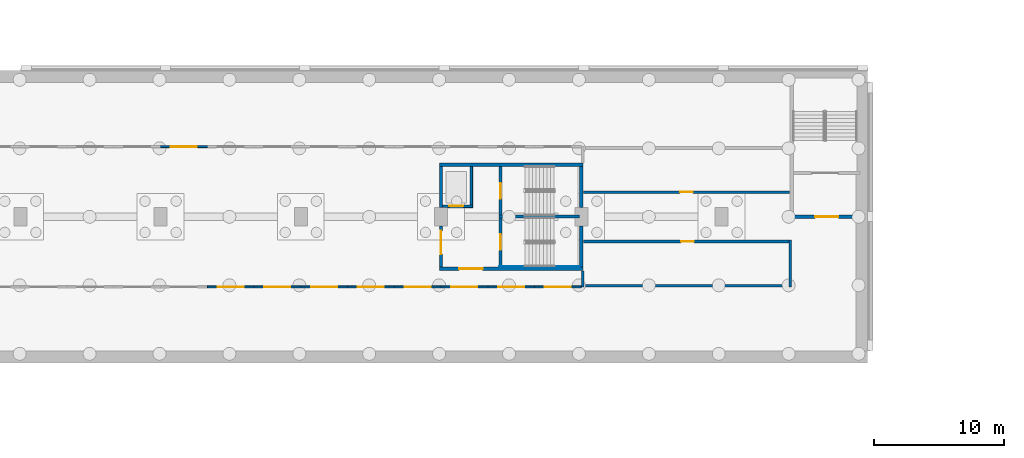
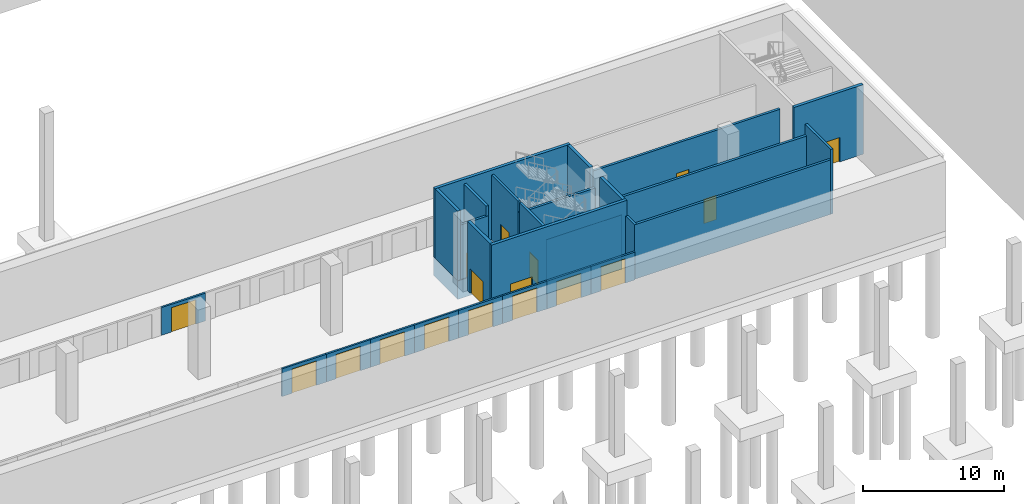
# One storey, part 11 of 39: 28 walls, 17 doors, 17 openings.
"""IFC4 building model written with IfcOpenShell, lengths in metres."""

import ifcopenshell
import ifcopenshell.guid

model = None  # the IFC model being written
_history = None  # IfcOwnerHistory: only IFC2X3 demands one
_inside = {}  # id of a spatial element -> (the spatial element, [elements in it])
_under = {}  # id of a project, library or spatial element -> (it, [spatial elements below it])
_declared = {}  # id of a project -> (the project, [libraries it declares])
_typed = {}  # id of a type object -> (the type object, [elements of that type])
_made_of = {}  # id of a material, layer set ... -> (it, [elements and type objects made of it])


def new_model(schema):
    """Start an empty IFC model of exactly this schema.

    Asked for "IFC4X3", IfcOpenShell would pick the latest addendum, in which some entities
    have other attributes; the version numbers below select the first issue.
    IFC2X3 requires an IfcOwnerHistory on every rooted entity: one is made here for all.
    """
    global model, _history
    if schema == "IFC4X3":
        model = ifcopenshell.file(schema_version=(4, 3, 0, 0))
    else:
        model = ifcopenshell.file(schema=schema)
    _inside.clear()
    _under.clear()
    _declared.clear()
    _typed.clear()
    _made_of.clear()
    _history = None
    if model.schema == "IFC2X3":
        org = make("IfcOrganization", Name="unknown")
        user = make(
            "IfcPersonAndOrganization",
            ThePerson=make("IfcPerson", FamilyName="unknown"),
            TheOrganization=org,
        )
        app = make(
            "IfcApplication",
            ApplicationDeveloper=org,
            Version="unknown",
            ApplicationFullName="unknown",
            ApplicationIdentifier="unknown",
        )
        _history = make(
            "IfcOwnerHistory",
            OwningUser=user,
            OwningApplication=app,
            ChangeAction="ADDED",
            CreationDate=0,
        )
    return model


def make(cls, **values):
    """One entity of the class cls with the attributes given. An attribute that is None is left unset."""
    return model.create_entity(
        cls, **{name: value for name, value in values.items() if value is not None}
    )


def rooted(cls, **values):
    """An entity with a GlobalId (a new one), such as an element, a storey or a relation."""
    return make(cls, GlobalId=ifcopenshell.guid.new(), OwnerHistory=_history, **values)


def si_unit(unit_type, name, prefix=None):
    """IfcSIUnit, for example si_unit("LENGTHUNIT", "METRE", prefix="MILLI")."""
    return make("IfcSIUnit", UnitType=unit_type, Prefix=prefix, Name=name)


def assignment(units):
    """IfcUnitAssignment: the units of a project."""
    return None if units is None else make("IfcUnitAssignment", Units=units)


def point(xyz):
    """IfcCartesianPoint."""
    return None if xyz is None else make("IfcCartesianPoint", Coordinates=xyz)


def direction(xyz):
    """IfcDirection."""
    return None if xyz is None else make("IfcDirection", DirectionRatios=xyz)


def frame(location, z_axis=None, x_axis=None):
    """IfcAxis2Placement3D, a coordinate frame: its origin and axes. An axis left out is left unset."""
    return make(
        "IfcAxis2Placement3D",
        Location=point(location),
        Axis=direction(z_axis),
        RefDirection=direction(x_axis),
    )


def frame_2d(location, x_axis=None):
    """IfcAxis2Placement2D, a coordinate frame in the plane: its origin and x axis."""
    return make(
        "IfcAxis2Placement2D", Location=point(location), RefDirection=direction(x_axis)
    )


def origin():
    """The frame at (0, 0, 0) with its axes left unset."""
    return frame((0.0, 0.0, 0.0))


def place(relative_to, where):
    """IfcLocalPlacement: puts the frame where relative to a parent placement (None: the world)."""
    return make(
        "IfcLocalPlacement", PlacementRelTo=relative_to, RelativePlacement=where
    )


def context(
    kind, dimensions, precision=None, world=None, true_north=None, identifier=None
):
    """IfcGeometricRepresentationContext, for example the 3D "Model" context."""
    return make(
        "IfcGeometricRepresentationContext",
        ContextIdentifier=identifier,
        ContextType=kind,
        CoordinateSpaceDimension=dimensions,
        Precision=precision,
        WorldCoordinateSystem=world,
        TrueNorth=true_north,
    )


def subcontext(parent, identifier, kind, view, scale=None):
    """IfcGeometricRepresentationSubContext, for example "Body" below "Model"."""
    return make(
        "IfcGeometricRepresentationSubContext",
        ContextIdentifier=identifier,
        ContextType=kind,
        ParentContext=parent,
        TargetScale=scale,
        TargetView=view,
    )


def project(units=None, contexts=None):
    """IfcProject with its units and contexts."""
    return rooted(
        "IfcProject",
        Name="project",
        RepresentationContexts=contexts,
        UnitsInContext=assignment(units),
    )


def spatial(cls, under=None, at=None, **own):
    """A site, building, storey or space (cls), placed at a placement, below another one or the project."""
    s = rooted(cls, ObjectPlacement=at, **own)
    if under is not None:
        _under.setdefault(under.id(), (under, []))[1].append(s)
    return s


def polyline(points):
    """IfcPolyline through the points."""
    return make("IfcPolyline", Points=[point(p) for p in points])


def profile(cls, at=None, kind="AREA", **sizes):
    """A parametric profile (cls). Its sizes go by their IFC names, for example OverallWidth=200.0."""
    return make(cls, ProfileType=kind, Position=at, **sizes)


def rectangle(**sizes):
    """IfcRectangleProfileDef."""
    return profile("IfcRectangleProfileDef", **sizes)


def outline(outer, holes=None, kind="AREA"):
    """IfcArbitraryClosedProfileDef: a profile drawn as a closed curve; with holes, ...WithVoids."""
    if holes is None:
        return make("IfcArbitraryClosedProfileDef", ProfileType=kind, OuterCurve=outer)
    return make(
        "IfcArbitraryProfileDefWithVoids",
        ProfileType=kind,
        OuterCurve=outer,
        InnerCurves=holes,
    )


def extrude(swept, where, along, depth):
    """IfcExtrudedAreaSolid: the profile swept, set in the frame where, extruded along a direction by depth."""
    return make(
        "IfcExtrudedAreaSolid",
        SweptArea=swept,
        Position=where,
        ExtrudedDirection=direction(along),
        Depth=depth,
    )


def shape(context_of_items, identifier, shape_type, items):
    """IfcShapeRepresentation: the items that make up one representation, for example the "Body"."""
    return make(
        "IfcShapeRepresentation",
        ContextOfItems=context_of_items,
        RepresentationIdentifier=identifier,
        RepresentationType=shape_type,
        Items=items,
    )


def material(Name=None, Category=None):
    """IfcMaterial."""
    return make("IfcMaterial", Name=Name, Category=Category)


def layer(
    of_material, thickness, ventilated=None, Name=None, Category=None, Priority=None
):
    """IfcMaterialLayer: one layer of a wall or slab, of a material (None: an air gap)."""
    return make(
        "IfcMaterialLayer",
        Material=of_material,
        LayerThickness=thickness,
        IsVentilated=ventilated,
        Name=Name,
        Category=Category,
        Priority=Priority,
    )


def layer_set(layers, Name=None):
    """IfcMaterialLayerSet."""
    return make("IfcMaterialLayerSet", MaterialLayers=layers, LayerSetName=Name)


def made_of(thing, what):
    """Note that an element or type object is made of a material, layer set ...; save() writes the relation."""
    if what is not None:
        _made_of.setdefault(what.id(), (what, []))[1].append(thing)
    return thing


def type_object(cls, material=None, **own):
    """A type object (cls), such as IfcWallType, which elements share."""
    return made_of(rooted(cls, **own), material)


def element(
    cls,
    number,
    at=None,
    inside=None,
    cuts=None,
    type_object=None,
    material=None,
    context=None,
    identifier="Body",
    shape_type=None,
    held_by="IfcProductDefinitionShape",
    body=None,
    shapes=None,
    **own,
):
    """One element of the class cls, such as IfcWall. Its Tag is "e" and its number.

    at: its placement. inside: the storey or other place that contains it. cuts: it is an
    opening in that element (IfcRelVoidsElement). A single representation is given by context,
    identifier, shape_type and body (its items); several are given by shapes. held_by: the class
    of the entity that holds the representations. save() writes the other relations.
    """
    e = rooted(cls, Tag="e%d" % number, ObjectPlacement=at, **own)
    if body is not None:
        shapes = [shape(context, identifier, shape_type, body)]
    if shapes is not None:
        e.Representation = make(held_by, Representations=shapes)
    if inside is not None:
        _inside.setdefault(inside.id(), (inside, []))[1].append(e)
    if cuts is not None:
        rooted(
            "IfcRelVoidsElement", RelatingBuildingElement=cuts, RelatedOpeningElement=e
        )
    if type_object is not None:
        _typed.setdefault(type_object.id(), (type_object, []))[1].append(e)
    return made_of(e, material)


def fill(opening, filler):
    """IfcRelFillsElement: the door or window that sits in an opening."""
    return rooted(
        "IfcRelFillsElement",
        RelatingOpeningElement=opening,
        RelatedBuildingElement=filler,
    )


def aggregate(whole, parts):
    """IfcRelAggregates: a whole, such as a stair, and the parts it consists of."""
    return rooted("IfcRelAggregates", RelatingObject=whole, RelatedObjects=parts)


def save(model, path):
    """Write the relations noted so far, then the file.

    IfcRelAggregates (storeys below a building ...), IfcRelContainedInSpatialStructure (elements
    in a storey), IfcRelDefinesByType, IfcRelAssociatesMaterial and IfcRelDeclares: one each for
    every whole, place, type object, material and project.
    """
    for whole, parts in _under.values():
        aggregate(whole, parts)
    for where, things in _inside.values():
        rooted(
            "IfcRelContainedInSpatialStructure",
            RelatedElements=things,
            RelatingStructure=where,
        )
    for kind, things in _typed.values():
        rooted("IfcRelDefinesByType", RelatedObjects=things, RelatingType=kind)
    for what, things in _made_of.values():
        rooted("IfcRelAssociatesMaterial", RelatedObjects=things, RelatingMaterial=what)
    for by, libraries in _declared.values():
        rooted("IfcRelDeclares", RelatingContext=by, RelatedDefinitions=libraries)
    model.write(path)


model = new_model("IFC4")

# Units and contexts
model_context = context("Model", 3, precision=1e-05, world=origin(), true_north=direction((0.0, 1.0)))
body_context = subcontext(model_context, "Body", "Model", "MODEL_VIEW")
ifc_project = project(units=[si_unit("LENGTHUNIT", "METRE"), si_unit("AREAUNIT", "SQUARE_METRE"), si_unit("VOLUMEUNIT", "CUBIC_METRE"), si_unit("PLANEANGLEUNIT", "RADIAN"), si_unit("MASSUNIT", "GRAM", prefix="KILO")], contexts=[model_context])

# Site, building, storey
site_placement = place(None, origin())
site = spatial("IfcSite", under=ifc_project, at=site_placement, CompositionType="ELEMENT")
building_placement = place(site_placement, origin())
building = spatial("IfcBuilding", under=site, at=building_placement, Name="Magnolia Steps Interchange", CompositionType="ELEMENT")
storey_placement = place(building_placement, frame((0.0, 0.0, -11.39990234375)))
storey = spatial("IfcBuildingStorey", under=building, at=storey_placement, Name="B2", CompositionType="ELEMENT", Elevation=-11.39990234375)

# Wall, opening, door
ifc_material_1 = material(Name="Concrete C35", Category="concrete")
ifc_layer_1 = layer(ifc_material_1, 0.199951171875)
ifc_layer_set_1 = layer_set([ifc_layer_1], Name="Core enclosure wall 200")
wall_type_1 = type_object("IfcWallType", Name="Core enclosure wall 200", PredefinedType="SOLIDWALL", material=ifc_layer_set_1)
wall_1_placement = place(storey_placement, frame((154.97509765625, 67.875, 0.0), z_axis=(0.0, 0.0, 1.0), x_axis=(0.0, -1.0, 0.0)))
wall_1 = element("IfcWall", 1, at=wall_1_placement, inside=storey, type_object=wall_type_1, Name="B2 PC3 enclosure wall", PredefinedType="SOLIDWALL", context=body_context, shape_type="SweptSolid", body=[
    extrude(rectangle(XDim=3.75, YDim=0.199951171875, at=frame_2d((1.875, 0.0))), origin(), (0.0, 0.0, 1.0), 5.599853515625),
])
opening_1_placement = place(wall_1_placement, frame((1.27490234375, 0.0, 0.0)))
opening_1 = element("IfcOpeningElement", 2, at=opening_1_placement, cuts=wall_1, Name="Opening D-PC3-B2-1", PredefinedType="OPENING", context=body_context, shape_type="SweptSolid", body=[
    extrude(rectangle(XDim=1.199951171875, YDim=2.10009765625, at=frame_2d((0.60009765625, 1.050048828125))), frame((0.0, 0.10986328125, 0.0), z_axis=(0.0, -1.0, 0.0), x_axis=(1.0, 0.0, 0.0)), (0.0, 0.0, 1.0), 0.219970703125),
])
ifc_material_2 = material(Name="Painted steel", Category="steel")
door_type_1 = type_object("IfcDoorType", Name="Stair fire door 1200x2100", OperationType="NOTDEFINED", PredefinedType="DOOR", material=ifc_material_2)
door_1_placement = place(opening_1_placement, frame((1.199951171875, 0.0, 0.0), z_axis=(0.0, 0.0, 1.0), x_axis=(-1.0, 0.0, 0.0)))
door_1 = element("IfcDoor", 3, at=door_1_placement, inside=storey, type_object=door_type_1, Name="Stair door ST13 B2", OperationType="SINGLE_SWING_RIGHT", OverallHeight=2.10009765625, OverallWidth=1.199951171875, PredefinedType="DOOR", context=body_context, shape_type="SweptSolid", body=[
    extrude(rectangle(XDim=1.199951171875, YDim=2.10009765625, at=frame_2d((0.60009765625, 1.050048828125))), frame((0.0, 0.02490234375, 0.0), z_axis=(0.0, -1.0, 0.0), x_axis=(1.0, 0.0, 0.0)), (0.0, 0.0, 1.0), 0.050048828125),
])
fill(opening_1, door_1)

# Wall
wall_2_placement = place(storey_placement, frame((154.875, 64.02490234375, 0.0), z_axis=(0.0, 0.0, 1.0), x_axis=(1.0, 0.0, 0.0)))
element("IfcWall", 4, at=wall_2_placement, inside=storey, type_object=wall_type_1, Name="B2 PC3 enclosure wall", PredefinedType="SOLIDWALL", context=body_context, shape_type="SweptSolid", body=[
    extrude(rectangle(XDim=6.199951171875, YDim=0.199951171875, at=frame_2d((3.10009765625, 0.0))), origin(), (0.0, 0.0, 1.0), 4.699951171875),
])

# Wall, opening, door
wall_3_placement = place(storey_placement, frame((154.97509765625, 63.925048828125, 0.0), z_axis=(0.0, 0.0, 1.0), x_axis=(0.0, -1.0, 0.0)))
wall_3 = element("IfcWall", 5, at=wall_3_placement, inside=storey, type_object=wall_type_1, Name="B2 PC3 enclosure wall", PredefinedType="SOLIDWALL", context=body_context, shape_type="SweptSolid", body=[
    extrude(rectangle(XDim=3.800048828125, YDim=0.199951171875, at=frame_2d((1.89990234375, 0.0))), origin(), (0.0, 0.0, 1.0), 5.599853515625),
])
opening_2_placement = place(wall_3_placement, frame((1.27490234375, 0.0, 0.0)))
opening_2 = element("IfcOpeningElement", 6, at=opening_2_placement, cuts=wall_3, Name="Opening D-PC3-B2-2", PredefinedType="OPENING", context=body_context, shape_type="SweptSolid", body=[
    extrude(rectangle(XDim=1.199951171875, YDim=2.10009765625, at=frame_2d((0.60009765625, 1.050048828125))), frame((0.0, 0.10986328125, 0.0), z_axis=(0.0, -1.0, 0.0), x_axis=(1.0, 0.0, 0.0)), (0.0, 0.0, 1.0), 0.219970703125),
])
door_2_placement = place(opening_2_placement, frame((1.199951171875, 0.0, 0.0), z_axis=(0.0, 0.0, 1.0), x_axis=(-1.0, 0.0, 0.0)))
door_2 = element("IfcDoor", 7, at=door_2_placement, inside=storey, type_object=door_type_1, Name="Stair door ST14 B2", OperationType="SINGLE_SWING_RIGHT", OverallHeight=2.10009765625, OverallWidth=1.199951171875, PredefinedType="DOOR", context=body_context, shape_type="SweptSolid", body=[
    extrude(rectangle(XDim=1.199951171875, YDim=2.10009765625, at=frame_2d((0.60009765625, 1.050048828125))), frame((0.0, 0.02490234375, 0.0), z_axis=(0.0, -1.0, 0.0), x_axis=(1.0, 0.0, 0.0)), (0.0, 0.0, 1.0), 0.050048828125),
])
fill(opening_2, door_2)

# Wall
wall_4_placement = place(storey_placement, frame((152.72509765625, 67.875, 0.0), z_axis=(0.0, 0.0, 1.0), x_axis=(0.0, -1.0, 0.0)))
element("IfcWall", 8, at=wall_4_placement, inside=storey, type_object=wall_type_1, Name="B2 PC3 enclosure wall", PredefinedType="SOLIDWALL", context=body_context, shape_type="SweptSolid", body=[
    extrude(rectangle(XDim=3.14990234375, YDim=0.199951171875, at=frame_2d((1.574951171875, 0.0))), origin(), (0.0, 0.0, 1.0), 5.599853515625),
])

# Wall, opening, door
wall_5_placement = place(storey_placement, frame((150.52490234375, 64.824951171875, 0.0), z_axis=(0.0, 0.0, 1.0), x_axis=(1.0, 0.0, 0.0)))
wall_5 = element("IfcWall", 9, at=wall_5_placement, inside=storey, type_object=wall_type_1, Name="B2 PC3 enclosure wall", PredefinedType="SOLIDWALL", context=body_context, shape_type="SweptSolid", body=[
    extrude(rectangle(XDim=2.300048828125, YDim=0.199951171875, at=frame_2d((1.14990234375, 0.0))), origin(), (0.0, 0.0, 1.0), 4.699951171875),
])
opening_3_placement = place(wall_5_placement, frame((0.5, 0.0, 0.0)))
opening_3 = element("IfcOpeningElement", 10, at=opening_3_placement, cuts=wall_5, Name="Opening LD", PredefinedType="OPENING", context=body_context, shape_type="SweptSolid", body=[
    extrude(rectangle(XDim=1.10009765625, YDim=2.10009765625, at=frame_2d((0.550048828125, 1.050048828125))), frame((0.0, 0.10986328125, 0.0), z_axis=(0.0, -1.0, 0.0), x_axis=(1.0, 0.0, 0.0)), (0.0, 0.0, 1.0), 0.219970703125),
])
ifc_material_3 = material(Name="Stainless steel grade 304", Category="steel")
door_type_2 = type_object("IfcDoorType", Name="Lift landing door 1100x2100", OperationType="DOUBLE_DOOR_SLIDING", PredefinedType="DOOR", material=ifc_material_3)
door_3_placement = place(opening_3_placement, frame((1.10009765625, 0.0, 0.0), z_axis=(0.0, 0.0, 1.0), x_axis=(-1.0, 0.0, 0.0)))
door_3 = element("IfcDoor", 11, at=door_3_placement, inside=storey, type_object=door_type_2, Name="Lift landing door LF7 B2", OperationType="DOUBLE_DOOR_SLIDING", OverallHeight=2.10009765625, OverallWidth=1.10009765625, PredefinedType="DOOR", context=body_context, shape_type="SweptSolid", body=[
    extrude(rectangle(XDim=1.10009765625, YDim=2.10009765625, at=frame_2d((0.550048828125, 1.050048828125))), frame((0.0, 0.02490234375, 0.0), z_axis=(0.0, -1.0, 0.0), x_axis=(1.0, 0.0, 0.0)), (0.0, 0.0, 1.0), 0.050048828125),
])
fill(opening_3, door_3)

# Wall
wall_6_placement = place(storey_placement, frame((154.875, 60.14990234375, 0.0), z_axis=(0.0, 0.0, 1.0), x_axis=(1.0, 0.0, 0.0)))
element("IfcWall", 12, at=wall_6_placement, inside=storey, type_object=wall_type_1, Name="B2 PC3 enclosure wall", PredefinedType="SOLIDWALL", context=body_context, shape_type="SweptSolid", body=[
    extrude(rectangle(XDim=6.199951171875, YDim=0.050048828125, at=frame_2d((3.10009765625, 0.0))), origin(), (0.0, 0.0, 1.0), 4.699951171875),
])

# Wall, opening, door
ifc_material_4 = material(Name="Concrete C40", Category="concrete")
ifc_layer_2 = layer(ifc_material_4, 0.25)
ifc_layer_set_2 = layer_set([ifc_layer_2], Name="Core wall 250")
wall_type_2 = type_object("IfcWallType", Name="Core wall 250", PredefinedType="SOLIDWALL", material=ifc_layer_set_2)
wall_7_placement = place(storey_placement, frame((150.27490234375, 60.0, 0.0), z_axis=(0.0, 0.0, 1.0), x_axis=(1.0, 0.0, 0.0)))
wall_7 = element("IfcWall", 13, at=wall_7_placement, inside=storey, type_object=wall_type_2, Name="Core wall PC3", PredefinedType="SOLIDWALL", context=body_context, shape_type="SweptSolid", body=[
    extrude(rectangle(XDim=11.050048828125, YDim=0.25, at=frame_2d((5.52490234375, 0.0))), origin(), (0.0, 0.0, 1.0), 6.0),
])
opening_4_placement = place(wall_7_placement, frame((1.52490234375, 0.0, 0.0)))
opening_4 = element("IfcOpeningElement", 14, at=opening_4_placement, cuts=wall_7, Name="Opening D-PC3-B2-4", PredefinedType="OPENING", context=body_context, shape_type="SweptSolid", body=[
    extrude(rectangle(XDim=1.800048828125, YDim=2.10009765625, at=frame_2d((0.89990234375, 1.050048828125))), frame((0.0, 0.135009765625, 0.0), z_axis=(0.0, -1.0, 0.0), x_axis=(1.0, 0.0, 0.0)), (0.0, 0.0, 1.0), 0.27001953125),
])
ifc_material_5 = material(Name="Timber and glass", Category="wood")
door_type_3 = type_object("IfcDoorType", Name="Core entrance door pair 1800x2100", OperationType="DOUBLE_DOOR_DOUBLE_SWING", PredefinedType="DOOR", material=ifc_material_5)
door_4_placement = place(opening_4_placement, frame((1.800048828125, 0.0, 0.0), z_axis=(0.0, 0.0, 1.0), x_axis=(-1.0, 0.0, 0.0)))
door_4 = element("IfcDoor", 15, at=door_4_placement, inside=storey, type_object=door_type_3, Name="Core entrance door PC3 B2", OperationType="DOUBLE_DOOR_DOUBLE_SWING", OverallHeight=2.10009765625, OverallWidth=1.800048828125, PredefinedType="DOOR", context=body_context, shape_type="SweptSolid", body=[
    extrude(rectangle(XDim=1.800048828125, YDim=2.10009765625, at=frame_2d((0.89990234375, 1.050048828125))), frame((0.0, 0.02490234375, 0.0), z_axis=(0.0, -1.0, 0.0), x_axis=(1.0, 0.0, 0.0)), (0.0, 0.0, 1.0), 0.050048828125),
])
fill(opening_4, door_4)

# Walls
for number, where, z_axis, x_axis, name in (
    (16, (161.199951171875, 60.125, 0.0), (0.0, 0.0, 1.0), (0.0, 1.0, 0.0), "Core wall PC3"),
    (17, (161.199951171875, 64.699951171875, 0.0), (0.0, 0.0, 1.0), (0.0, 1.0, 0.0), "Core wall PC3"),
):
    element("IfcWall", number, at=place(storey_placement, frame(where, z_axis=z_axis, x_axis=x_axis)), inside=storey, type_object=wall_type_2, Name=name, PredefinedType="SOLIDWALL", context=body_context, shape_type="SweptSolid", body=[
        extrude(rectangle(XDim=3.175048828125, YDim=0.25, at=frame_2d((1.58740234375, 0.0))), origin(), (0.0, 0.0, 1.0), 6.0),
    ])
wall_8_placement = place(storey_placement, frame((161.324951171875, 68.0, 0.0), z_axis=(0.0, 0.0, 1.0), x_axis=(-1.0, 0.0, 0.0)))
element("IfcWall", 18, at=wall_8_placement, inside=storey, type_object=wall_type_2, Name="Core wall PC3", PredefinedType="SOLIDWALL", context=body_context, shape_type="SweptSolid", body=[
    extrude(rectangle(XDim=11.050048828125, YDim=0.25, at=frame_2d((5.52490234375, 0.0))), origin(), (0.0, 0.0, 1.0), 6.0),
])
wall_9_placement = place(storey_placement, frame((150.39990234375, 67.875, 0.0), z_axis=(0.0, 0.0, 1.0), x_axis=(0.0, -1.0, 0.0)))
element("IfcWall", 19, at=wall_9_placement, inside=storey, type_object=wall_type_2, Name="Core wall PC3", PredefinedType="SOLIDWALL", context=body_context, shape_type="SweptSolid", body=[
    extrude(rectangle(XDim=3.175048828125, YDim=0.25, at=frame_2d((1.58740234375, 0.0))), origin(), (0.0, 0.0, 1.0), 6.0),
])

# Wall, opening, door
wall_10_placement = place(storey_placement, frame((150.39990234375, 63.300048828125, 0.0), z_axis=(0.0, 0.0, 1.0), x_axis=(0.0, -1.0, 0.0)))
wall_10 = element("IfcWall", 20, at=wall_10_placement, inside=storey, type_object=wall_type_2, Name="Core wall PC3", PredefinedType="SOLIDWALL", context=body_context, shape_type="SweptSolid", body=[
    extrude(rectangle(XDim=3.175048828125, YDim=0.25, at=frame_2d((1.58740234375, 0.0))), origin(), (0.0, 0.0, 1.0), 6.0),
])
opening_5_placement = place(wall_10_placement, frame((0.375, 0.0, 0.0)))
opening_5 = element("IfcOpeningElement", 21, at=opening_5_placement, cuts=wall_10, Name="Opening D-PC3-B2-3", PredefinedType="OPENING", context=body_context, shape_type="SweptSolid", body=[
    extrude(rectangle(XDim=1.800048828125, YDim=2.10009765625, at=frame_2d((0.89990234375, 1.050048828125))), frame((0.0, 0.135009765625, 0.0), z_axis=(0.0, -1.0, 0.0), x_axis=(1.0, 0.0, 0.0)), (0.0, 0.0, 1.0), 0.27001953125),
])
door_5_placement = place(opening_5_placement, frame((1.800048828125, 0.0, 0.0), z_axis=(0.0, 0.0, 1.0), x_axis=(-1.0, 0.0, 0.0)))
door_5 = element("IfcDoor", 22, at=door_5_placement, inside=storey, type_object=door_type_3, Name="Core entrance door PC3 B2", OperationType="DOUBLE_DOOR_DOUBLE_SWING", OverallHeight=2.10009765625, OverallWidth=1.800048828125, PredefinedType="DOOR", context=body_context, shape_type="SweptSolid", body=[
    extrude(rectangle(XDim=1.800048828125, YDim=2.10009765625, at=frame_2d((0.89990234375, 1.050048828125))), frame((0.0, 0.02490234375, 0.0), z_axis=(0.0, -1.0, 0.0), x_axis=(1.0, 0.0, 0.0)), (0.0, 0.0, 1.0), 0.050048828125),
])
fill(opening_5, door_5)

wall_11_placement = place(storey_placement, frame((177.27490234375, 64.0, 0.0), z_axis=(0.0, 0.0, 1.0), x_axis=(1.0, 0.0, 0.0)))
wall_11 = element("IfcWall", 23, at=wall_11_placement, inside=storey, type_object=wall_type_2, Name="Core wall BE-E", PredefinedType="SOLIDWALL", context=body_context, shape_type="SweptSolid", body=[
    extrude(rectangle(XDim=5.650146484375, YDim=0.25, at=frame_2d((2.8251953125, 0.0))), origin(), (0.0, 0.0, 1.0), 6.0),
])
opening_6_placement = place(wall_11_placement, frame((1.925048828125, 0.0, 0.0)))
opening_6 = element("IfcOpeningElement", 24, at=opening_6_placement, cuts=wall_11, Name="Opening D-BE-E-B2-2", PredefinedType="OPENING", context=body_context, shape_type="SweptSolid", body=[
    extrude(rectangle(XDim=1.800048828125, YDim=2.10009765625, at=frame_2d((0.89990234375, 1.050048828125))), frame((0.0, 0.135009765625, 0.0), z_axis=(0.0, -1.0, 0.0), x_axis=(1.0, 0.0, 0.0)), (0.0, 0.0, 1.0), 0.27001953125),
])
door_6_placement = place(opening_6_placement, frame((1.800048828125, 0.0, 0.0), z_axis=(0.0, 0.0, 1.0), x_axis=(-1.0, 0.0, 0.0)))
door_6 = element("IfcDoor", 25, at=door_6_placement, inside=storey, type_object=door_type_3, Name="Core entrance door BE-E B2", OperationType="DOUBLE_DOOR_DOUBLE_SWING", OverallHeight=2.10009765625, OverallWidth=1.800048828125, PredefinedType="DOOR", context=body_context, shape_type="SweptSolid", body=[
    extrude(rectangle(XDim=1.800048828125, YDim=2.10009765625, at=frame_2d((0.89990234375, 1.050048828125))), frame((0.0, 0.02490234375, 0.0), z_axis=(0.0, -1.0, 0.0), x_axis=(1.0, 0.0, 0.0)), (0.0, 0.0, 1.0), 0.050048828125),
])
fill(opening_6, door_6)

ifc_material_6 = material(Name="Fair-faced blockwork", Category="masonry")
ifc_layer_3 = layer(ifc_material_6, 0.199951171875)
ifc_layer_set_3 = layer_set([ifc_layer_3], Name="Fire partition wall 200")
wall_type_3 = type_object("IfcWallType", Name="Fire partition wall 200", PredefinedType="PARTITIONING", material=ifc_layer_set_3)
wall_12_placement = place(storey_placement, frame((161.35498046875, 62.10009765625, 0.0), z_axis=(0.0, 0.0, 1.0), x_axis=(1.0, 0.0, 0.0)))
wall_12 = element("IfcWall", 26, at=wall_12_placement, inside=storey, type_object=wall_type_3, Name="B2 partition 20", PredefinedType="PARTITIONING", context=body_context, shape_type="SweptSolid", body=[
    extrude(rectangle(XDim=16.044921875, YDim=0.199951171875, at=frame_2d((8.0224609375, 0.0))), origin(), (0.0, 0.0, 1.0), 4.699951171875),
])
opening_7_placement = place(wall_12_placement, frame((7.5224609375, 0.0, 0.0)))
opening_7 = element("IfcOpeningElement", 27, at=opening_7_placement, cuts=wall_12, Name="Opening D-B2-7", PredefinedType="OPENING", context=body_context, shape_type="SweptSolid", body=[
    extrude(rectangle(XDim=1.0, YDim=2.10009765625, at=frame_2d((0.5, 1.050048828125))), frame((0.0, 0.10986328125, 0.0), z_axis=(0.0, -1.0, 0.0), x_axis=(1.0, 0.0, 0.0)), (0.0, 0.0, 1.0), 0.219970703125),
])
ifc_material_7 = material(Name="Painted steel", Category="steel")
door_type_4 = type_object("IfcDoorType", Name="Plant room door 1000x2100", OperationType="NOTDEFINED", PredefinedType="DOOR", material=ifc_material_7)
door_7_placement = place(opening_7_placement, frame((1.0, 0.0, 0.0), z_axis=(0.0, 0.0, 1.0), x_axis=(-1.0, 0.0, 0.0)))
door_7 = element("IfcDoor", 28, at=door_7_placement, inside=storey, type_object=door_type_4, Name="Tunnel Ventilation Plant door", OperationType="SINGLE_SWING_RIGHT", OverallHeight=2.10009765625, OverallWidth=1.0, PredefinedType="DOOR", context=body_context, shape_type="SweptSolid", body=[
    extrude(rectangle(XDim=1.0, YDim=2.10009765625, at=frame_2d((0.5, 1.050048828125))), frame((0.0, 0.02490234375, 0.0), z_axis=(0.0, -1.0, 0.0), x_axis=(1.0, 0.0, 0.0)), (0.0, 0.0, 1.0), 0.050048828125),
])
fill(opening_7, door_7)

wall_13_placement = place(storey_placement, frame((161.35498046875, 65.89990234375, 0.0), z_axis=(0.0, 0.0, 1.0), x_axis=(1.0, 0.0, 0.0)))
wall_13 = element("IfcWall", 29, at=wall_13_placement, inside=storey, type_object=wall_type_3, Name="B2 partition 21", PredefinedType="PARTITIONING", context=body_context, shape_type="SweptSolid", body=[
    extrude(rectangle(XDim=15.89013671875, YDim=0.199951171875, at=frame_2d((7.945068359375, 0.0))), origin(), (0.0, 0.0, 1.0), 4.699951171875),
])
opening_8_placement = place(wall_13_placement, frame((7.445068359375, 0.0, 0.0)))
opening_8 = element("IfcOpeningElement", 30, at=opening_8_placement, cuts=wall_13, Name="Opening D-B2-8", PredefinedType="OPENING", context=body_context, shape_type="SweptSolid", body=[
    extrude(rectangle(XDim=1.0, YDim=2.10009765625, at=frame_2d((0.5, 1.050048828125))), frame((0.0, 0.10986328125, 0.0), z_axis=(0.0, -1.0, 0.0), x_axis=(1.0, 0.0, 0.0)), (0.0, 0.0, 1.0), 0.219970703125),
])
door_8_placement = place(opening_8_placement, origin())
door_8 = element("IfcDoor", 31, at=door_8_placement, inside=storey, type_object=door_type_4, Name="Track Drainage Pump Room door", OperationType="SINGLE_SWING_RIGHT", OverallHeight=2.10009765625, OverallWidth=1.0, PredefinedType="DOOR", context=body_context, shape_type="SweptSolid", body=[
    extrude(rectangle(XDim=1.0, YDim=2.10009765625, at=frame_2d((0.5, 1.050048828125))), frame((0.0, 0.02490234375, 0.0), z_axis=(0.0, -1.0, 0.0), x_axis=(1.0, 0.0, 0.0)), (0.0, 0.0, 1.0), 0.050048828125),
])
fill(opening_8, door_8)

# Walls
wall_14_placement = place(storey_placement, frame((177.300048828125, 58.60009765625, 0.0), z_axis=(0.0, 0.0, 1.0), x_axis=(0.0, 1.0, 0.0)))
element("IfcWall", 32, at=wall_14_placement, inside=storey, type_object=wall_type_3, Name="B2 partition 22", PredefinedType="PARTITIONING", context=body_context, shape_type="SweptSolid", body=[
    extrude(rectangle(XDim=3.599853515625, YDim=0.199951171875, at=frame_2d((1.7998046875, 0.0))), origin(), (0.0, 0.0, 1.0), 5.599853515625),
])
wall_15_placement = place(storey_placement, frame((161.199951171875, 58.699951171875, 0.0), z_axis=(0.0, 0.0, 1.0), x_axis=(1.0, 0.0, 0.0)))
element("IfcWall", 33, at=wall_15_placement, inside=storey, type_object=wall_type_3, Name="B2 partition 23", PredefinedType="PARTITIONING", context=body_context, shape_type="SweptSolid", body=[
    extrude(rectangle(XDim=16.199951171875, YDim=0.199951171875, at=frame_2d((8.10009765625, 0.0))), origin(), (0.0, 0.0, 1.0), 4.699951171875),
])
wall_16_placement = place(storey_placement, frame((161.300048828125, 58.60009765625, 0.0), z_axis=(0.0, 0.0, 1.0), x_axis=(0.0, 1.0, 0.0)))
element("IfcWall", 34, at=wall_16_placement, inside=storey, type_object=wall_type_3, Name="B2 partition 24", PredefinedType="PARTITIONING", context=body_context, shape_type="SweptSolid", body=[
    extrude(rectangle(XDim=1.244873046875, YDim=0.199951171875, at=frame_2d((0.62255859375, 0.0))), origin(), (0.0, 0.0, 1.0), 4.699951171875),
])
ifc_material_8 = material(Name="Concrete C40", Category="concrete")
ifc_layer_4 = layer(ifc_material_8, 0.25)
ifc_layer_set_4 = layer_set([ifc_layer_4], Name="Lift pit wall 250")
wall_type_4 = type_object("IfcWallType", Name="Lift pit wall 250", PredefinedType="SOLIDWALL", material=ifc_layer_set_4)
wall_17_placement = place(storey_placement, frame((0.0, 0.0, -1.60009765625)))
element("IfcWall", 35, at=wall_17_placement, inside=storey, type_object=wall_type_4, Name="Lift pit wall PC3", PredefinedType="SOLIDWALL", context=body_context, shape_type="SweptSolid", body=[
    extrude(outline(polyline([(150.27490234375, 68.125), (150.27490234375, 64.675048828125), (152.875, 64.675048828125), (152.875, 68.125), (150.27490234375, 68.125)]), holes=[polyline([(150.52490234375, 64.925048828125), (152.625, 64.925048828125), (152.625, 67.875), (150.52490234375, 67.875), (150.52490234375, 64.925048828125)])]), origin(), (0.0, 0.0, 1.0), 1.60009765625),
])

# Wall, opening, door
ifc_material_9 = material(Name="Toughened glass", Category="glass")
ifc_layer_5 = layer(ifc_material_9, 0.14990234375)
ifc_layer_set_5 = layer_set([ifc_layer_5], Name="Platform screen panel 150")
wall_type_5 = type_object("IfcWallType", Name="Platform screen panel 150", PredefinedType="PARTITIONING", material=ifc_layer_set_5)
wall_18_placement = place(storey_placement, frame((132.39990234375, 58.60009765625, 0.0), z_axis=(0.0, 0.0, 1.0), x_axis=(1.0, 0.0, 0.0)))
wall_18 = element("IfcWall", 36, at=wall_18_placement, inside=storey, type_object=wall_type_5, Name="Platform screen 23", PredefinedType="PARTITIONING", context=body_context, shape_type="SweptSolid", body=[
    extrude(rectangle(XDim=3.60009765625, YDim=0.14990234375, at=frame_2d((1.800048828125, 0.0))), origin(), (0.0, 0.0, 1.0), 2.39990234375),
])
opening_9_placement = place(wall_18_placement, frame((0.800048828125, 0.0, 0.0)))
opening_9 = element("IfcOpeningElement", 37, at=opening_9_placement, cuts=wall_18, Name="Opening PSD", PredefinedType="OPENING", context=body_context, shape_type="SweptSolid", body=[
    extrude(rectangle(XDim=2.0, YDim=2.10009765625, at=frame_2d((1.0, 1.050048828125))), frame((0.0, 0.0849609375, 0.0), z_axis=(0.0, -1.0, 0.0), x_axis=(1.0, 0.0, 0.0)), (0.0, 0.0, 1.0), 0.169921875),
])
ifc_material_10 = material(Name="Toughened glass", Category="glass")
door_type_5 = type_object("IfcDoorType", Name="Platform screen door 2000x2100", OperationType="DOUBLE_DOOR_SLIDING", PredefinedType="DOOR", material=ifc_material_10)
door_9_placement = place(opening_9_placement, origin())
door_9 = element("IfcDoor", 38, at=door_9_placement, inside=storey, type_object=door_type_5, Name="Platform screen door 23", OperationType="DOUBLE_DOOR_SLIDING", OverallHeight=2.10009765625, OverallWidth=2.0, PredefinedType="DOOR", context=body_context, shape_type="SweptSolid", body=[
    extrude(rectangle(XDim=2.0, YDim=2.10009765625, at=frame_2d((1.0, 1.050048828125))), frame((0.0, 0.02490234375, 0.0), z_axis=(0.0, -1.0, 0.0), x_axis=(1.0, 0.0, 0.0)), (0.0, 0.0, 1.0), 0.050048828125),
])
fill(opening_9, door_9)

wall_19_placement = place(storey_placement, frame((136.0, 58.60009765625, 0.0), z_axis=(0.0, 0.0, 1.0), x_axis=(1.0, 0.0, 0.0)))
wall_19 = element("IfcWall", 39, at=wall_19_placement, inside=storey, type_object=wall_type_5, Name="Platform screen 24", PredefinedType="PARTITIONING", context=body_context, shape_type="SweptSolid", body=[
    extrude(rectangle(XDim=3.60009765625, YDim=0.14990234375, at=frame_2d((1.800048828125, 0.0))), origin(), (0.0, 0.0, 1.0), 2.39990234375),
])
opening_10_placement = place(wall_19_placement, frame((0.800048828125, 0.0, 0.0)))
opening_10 = element("IfcOpeningElement", 40, at=opening_10_placement, cuts=wall_19, Name="Opening PSD", PredefinedType="OPENING", context=body_context, shape_type="SweptSolid", body=[
    extrude(rectangle(XDim=2.0, YDim=2.10009765625, at=frame_2d((1.0, 1.050048828125))), frame((0.0, 0.0849609375, 0.0), z_axis=(0.0, -1.0, 0.0), x_axis=(1.0, 0.0, 0.0)), (0.0, 0.0, 1.0), 0.169921875),
])
door_10_placement = place(opening_10_placement, origin())
door_10 = element("IfcDoor", 41, at=door_10_placement, inside=storey, type_object=door_type_5, Name="Platform screen door 24", OperationType="DOUBLE_DOOR_SLIDING", OverallHeight=2.10009765625, OverallWidth=2.0, PredefinedType="DOOR", context=body_context, shape_type="SweptSolid", body=[
    extrude(rectangle(XDim=2.0, YDim=2.10009765625, at=frame_2d((1.0, 1.050048828125))), frame((0.0, 0.02490234375, 0.0), z_axis=(0.0, -1.0, 0.0), x_axis=(1.0, 0.0, 0.0)), (0.0, 0.0, 1.0), 0.050048828125),
])
fill(opening_10, door_10)

wall_20_placement = place(storey_placement, frame((139.60009765625, 58.60009765625, 0.0), z_axis=(0.0, 0.0, 1.0), x_axis=(1.0, 0.0, 0.0)))
wall_20 = element("IfcWall", 42, at=wall_20_placement, inside=storey, type_object=wall_type_5, Name="Platform screen 25", PredefinedType="PARTITIONING", context=body_context, shape_type="SweptSolid", body=[
    extrude(rectangle(XDim=3.599853515625, YDim=0.14990234375, at=frame_2d((1.7998046875, 0.0))), origin(), (0.0, 0.0, 1.0), 2.39990234375),
])
opening_11_placement = place(wall_20_placement, frame((0.800048828125, 0.0, 0.0)))
opening_11 = element("IfcOpeningElement", 43, at=opening_11_placement, cuts=wall_20, Name="Opening PSD", PredefinedType="OPENING", context=body_context, shape_type="SweptSolid", body=[
    extrude(rectangle(XDim=2.0, YDim=2.10009765625, at=frame_2d((1.0, 1.050048828125))), frame((0.0, 0.0849609375, 0.0), z_axis=(0.0, -1.0, 0.0), x_axis=(1.0, 0.0, 0.0)), (0.0, 0.0, 1.0), 0.169921875),
])
door_11_placement = place(opening_11_placement, origin())
door_11 = element("IfcDoor", 44, at=door_11_placement, inside=storey, type_object=door_type_5, Name="Platform screen door 25", OperationType="DOUBLE_DOOR_SLIDING", OverallHeight=2.10009765625, OverallWidth=2.0, PredefinedType="DOOR", context=body_context, shape_type="SweptSolid", body=[
    extrude(rectangle(XDim=2.0, YDim=2.10009765625, at=frame_2d((1.0, 1.050048828125))), frame((0.0, 0.02490234375, 0.0), z_axis=(0.0, -1.0, 0.0), x_axis=(1.0, 0.0, 0.0)), (0.0, 0.0, 1.0), 0.050048828125),
])
fill(opening_11, door_11)

wall_21_placement = place(storey_placement, frame((143.199951171875, 58.60009765625, 0.0), z_axis=(0.0, 0.0, 1.0), x_axis=(1.0, 0.0, 0.0)))
wall_21 = element("IfcWall", 45, at=wall_21_placement, inside=storey, type_object=wall_type_5, Name="Platform screen 26", PredefinedType="PARTITIONING", context=body_context, shape_type="SweptSolid", body=[
    extrude(rectangle(XDim=3.60009765625, YDim=0.14990234375, at=frame_2d((1.800048828125, 0.0))), origin(), (0.0, 0.0, 1.0), 2.39990234375),
])
opening_12_placement = place(wall_21_placement, frame((0.800048828125, 0.0, 0.0)))
opening_12 = element("IfcOpeningElement", 46, at=opening_12_placement, cuts=wall_21, Name="Opening PSD", PredefinedType="OPENING", context=body_context, shape_type="SweptSolid", body=[
    extrude(rectangle(XDim=2.0, YDim=2.10009765625, at=frame_2d((1.0, 1.050048828125))), frame((0.0, 0.0849609375, 0.0), z_axis=(0.0, -1.0, 0.0), x_axis=(1.0, 0.0, 0.0)), (0.0, 0.0, 1.0), 0.169921875),
])
door_12_placement = place(opening_12_placement, origin())
door_12 = element("IfcDoor", 47, at=door_12_placement, inside=storey, type_object=door_type_5, Name="Platform screen door 26", OperationType="DOUBLE_DOOR_SLIDING", OverallHeight=2.10009765625, OverallWidth=2.0, PredefinedType="DOOR", context=body_context, shape_type="SweptSolid", body=[
    extrude(rectangle(XDim=2.0, YDim=2.10009765625, at=frame_2d((1.0, 1.050048828125))), frame((0.0, 0.02490234375, 0.0), z_axis=(0.0, -1.0, 0.0), x_axis=(1.0, 0.0, 0.0)), (0.0, 0.0, 1.0), 0.050048828125),
])
fill(opening_12, door_12)

wall_22_placement = place(storey_placement, frame((146.800048828125, 58.60009765625, 0.0), z_axis=(0.0, 0.0, 1.0), x_axis=(1.0, 0.0, 0.0)))
wall_22 = element("IfcWall", 48, at=wall_22_placement, inside=storey, type_object=wall_type_5, Name="Platform screen 27", PredefinedType="PARTITIONING", context=body_context, shape_type="SweptSolid", body=[
    extrude(rectangle(XDim=3.599853515625, YDim=0.14990234375, at=frame_2d((1.7998046875, 0.0))), origin(), (0.0, 0.0, 1.0), 2.39990234375),
])
opening_13_placement = place(wall_22_placement, frame((0.800048828125, 0.0, 0.0)))
opening_13 = element("IfcOpeningElement", 49, at=opening_13_placement, cuts=wall_22, Name="Opening PSD", PredefinedType="OPENING", context=body_context, shape_type="SweptSolid", body=[
    extrude(rectangle(XDim=2.0, YDim=2.10009765625, at=frame_2d((1.0, 1.050048828125))), frame((0.0, 0.0849609375, 0.0), z_axis=(0.0, -1.0, 0.0), x_axis=(1.0, 0.0, 0.0)), (0.0, 0.0, 1.0), 0.169921875),
])
door_13_placement = place(opening_13_placement, origin())
door_13 = element("IfcDoor", 50, at=door_13_placement, inside=storey, type_object=door_type_5, Name="Platform screen door 27", OperationType="DOUBLE_DOOR_SLIDING", OverallHeight=2.10009765625, OverallWidth=2.0, PredefinedType="DOOR", context=body_context, shape_type="SweptSolid", body=[
    extrude(rectangle(XDim=2.0, YDim=2.10009765625, at=frame_2d((1.0, 1.050048828125))), frame((0.0, 0.02490234375, 0.0), z_axis=(0.0, -1.0, 0.0), x_axis=(1.0, 0.0, 0.0)), (0.0, 0.0, 1.0), 0.050048828125),
])
fill(opening_13, door_13)

wall_23_placement = place(storey_placement, frame((150.39990234375, 58.60009765625, 0.0), z_axis=(0.0, 0.0, 1.0), x_axis=(1.0, 0.0, 0.0)))
wall_23 = element("IfcWall", 51, at=wall_23_placement, inside=storey, type_object=wall_type_5, Name="Platform screen 28", PredefinedType="PARTITIONING", context=body_context, shape_type="SweptSolid", body=[
    extrude(rectangle(XDim=3.60009765625, YDim=0.14990234375, at=frame_2d((1.800048828125, 0.0))), origin(), (0.0, 0.0, 1.0), 2.39990234375),
])
opening_14_placement = place(wall_23_placement, frame((0.800048828125, 0.0, 0.0)))
opening_14 = element("IfcOpeningElement", 52, at=opening_14_placement, cuts=wall_23, Name="Opening PSD", PredefinedType="OPENING", context=body_context, shape_type="SweptSolid", body=[
    extrude(rectangle(XDim=2.0, YDim=2.10009765625, at=frame_2d((1.0, 1.050048828125))), frame((0.0, 0.0849609375, 0.0), z_axis=(0.0, -1.0, 0.0), x_axis=(1.0, 0.0, 0.0)), (0.0, 0.0, 1.0), 0.169921875),
])
door_14_placement = place(opening_14_placement, origin())
door_14 = element("IfcDoor", 53, at=door_14_placement, inside=storey, type_object=door_type_5, Name="Platform screen door 28", OperationType="DOUBLE_DOOR_SLIDING", OverallHeight=2.10009765625, OverallWidth=2.0, PredefinedType="DOOR", context=body_context, shape_type="SweptSolid", body=[
    extrude(rectangle(XDim=2.0, YDim=2.10009765625, at=frame_2d((1.0, 1.050048828125))), frame((0.0, 0.02490234375, 0.0), z_axis=(0.0, -1.0, 0.0), x_axis=(1.0, 0.0, 0.0)), (0.0, 0.0, 1.0), 0.050048828125),
])
fill(opening_14, door_14)

wall_24_placement = place(storey_placement, frame((154.0, 58.60009765625, 0.0), z_axis=(0.0, 0.0, 1.0), x_axis=(1.0, 0.0, 0.0)))
wall_24 = element("IfcWall", 54, at=wall_24_placement, inside=storey, type_object=wall_type_5, Name="Platform screen 29", PredefinedType="PARTITIONING", context=body_context, shape_type="SweptSolid", body=[
    extrude(rectangle(XDim=3.60009765625, YDim=0.14990234375, at=frame_2d((1.800048828125, 0.0))), origin(), (0.0, 0.0, 1.0), 2.39990234375),
])
opening_15_placement = place(wall_24_placement, frame((0.800048828125, 0.0, 0.0)))
opening_15 = element("IfcOpeningElement", 55, at=opening_15_placement, cuts=wall_24, Name="Opening PSD", PredefinedType="OPENING", context=body_context, shape_type="SweptSolid", body=[
    extrude(rectangle(XDim=2.0, YDim=2.10009765625, at=frame_2d((1.0, 1.050048828125))), frame((0.0, 0.0849609375, 0.0), z_axis=(0.0, -1.0, 0.0), x_axis=(1.0, 0.0, 0.0)), (0.0, 0.0, 1.0), 0.169921875),
])
door_15_placement = place(opening_15_placement, origin())
door_15 = element("IfcDoor", 56, at=door_15_placement, inside=storey, type_object=door_type_5, Name="Platform screen door 29", OperationType="DOUBLE_DOOR_SLIDING", OverallHeight=2.10009765625, OverallWidth=2.0, PredefinedType="DOOR", context=body_context, shape_type="SweptSolid", body=[
    extrude(rectangle(XDim=2.0, YDim=2.10009765625, at=frame_2d((1.0, 1.050048828125))), frame((0.0, 0.02490234375, 0.0), z_axis=(0.0, -1.0, 0.0), x_axis=(1.0, 0.0, 0.0)), (0.0, 0.0, 1.0), 0.050048828125),
])
fill(opening_15, door_15)

wall_25_placement = place(storey_placement, frame((157.60009765625, 58.60009765625, 0.0), z_axis=(0.0, 0.0, 1.0), x_axis=(1.0, 0.0, 0.0)))
wall_25 = element("IfcWall", 57, at=wall_25_placement, inside=storey, type_object=wall_type_5, Name="Platform screen 30", PredefinedType="PARTITIONING", context=body_context, shape_type="SweptSolid", body=[
    extrude(rectangle(XDim=3.599853515625, YDim=0.14990234375, at=frame_2d((1.7998046875, 0.0))), origin(), (0.0, 0.0, 1.0), 2.39990234375),
])
opening_16_placement = place(wall_25_placement, frame((0.800048828125, 0.0, 0.0)))
opening_16 = element("IfcOpeningElement", 58, at=opening_16_placement, cuts=wall_25, Name="Opening PSD", PredefinedType="OPENING", context=body_context, shape_type="SweptSolid", body=[
    extrude(rectangle(XDim=2.0, YDim=2.10009765625, at=frame_2d((1.0, 1.050048828125))), frame((0.0, 0.0849609375, 0.0), z_axis=(0.0, -1.0, 0.0), x_axis=(1.0, 0.0, 0.0)), (0.0, 0.0, 1.0), 0.169921875),
])
door_16_placement = place(opening_16_placement, origin())
door_16 = element("IfcDoor", 59, at=door_16_placement, inside=storey, type_object=door_type_5, Name="Platform screen door 30", OperationType="DOUBLE_DOOR_SLIDING", OverallHeight=2.10009765625, OverallWidth=2.0, PredefinedType="DOOR", context=body_context, shape_type="SweptSolid", body=[
    extrude(rectangle(XDim=2.0, YDim=2.10009765625, at=frame_2d((1.0, 1.050048828125))), frame((0.0, 0.02490234375, 0.0), z_axis=(0.0, -1.0, 0.0), x_axis=(1.0, 0.0, 0.0)), (0.0, 0.0, 1.0), 0.050048828125),
])
fill(opening_16, door_16)

wall_26_placement = place(storey_placement, frame((128.800048828125, 69.39990234375, 0.0), z_axis=(0.0, 0.0, 1.0), x_axis=(1.0, 0.0, 0.0)))
wall_26 = element("IfcWall", 60, at=wall_26_placement, inside=storey, type_object=wall_type_5, Name="Platform screen 52", PredefinedType="PARTITIONING", context=body_context, shape_type="SweptSolid", body=[
    extrude(rectangle(XDim=3.599853515625, YDim=0.14990234375, at=frame_2d((1.7998046875, 0.0))), origin(), (0.0, 0.0, 1.0), 2.39990234375),
])
opening_17_placement = place(wall_26_placement, frame((0.800048828125, 0.0, 0.0)))
opening_17 = element("IfcOpeningElement", 61, at=opening_17_placement, cuts=wall_26, Name="Opening PSD", PredefinedType="OPENING", context=body_context, shape_type="SweptSolid", body=[
    extrude(rectangle(XDim=2.0, YDim=2.10009765625, at=frame_2d((1.0, 1.050048828125))), frame((0.0, 0.0849609375, 0.0), z_axis=(0.0, -1.0, 0.0), x_axis=(1.0, 0.0, 0.0)), (0.0, 0.0, 1.0), 0.169921875),
])
door_17_placement = place(opening_17_placement, origin())
door_17 = element("IfcDoor", 62, at=door_17_placement, inside=storey, type_object=door_type_5, Name="Platform screen door 52", OperationType="DOUBLE_DOOR_SLIDING", OverallHeight=2.10009765625, OverallWidth=2.0, PredefinedType="DOOR", context=body_context, shape_type="SweptSolid", body=[
    extrude(rectangle(XDim=2.0, YDim=2.10009765625, at=frame_2d((1.0, 1.050048828125))), frame((0.0, 0.02490234375, 0.0), z_axis=(0.0, -1.0, 0.0), x_axis=(1.0, 0.0, 0.0)), (0.0, 0.0, 1.0), 0.050048828125),
])
fill(opening_17, door_17)

save(model, "model.ifc")
